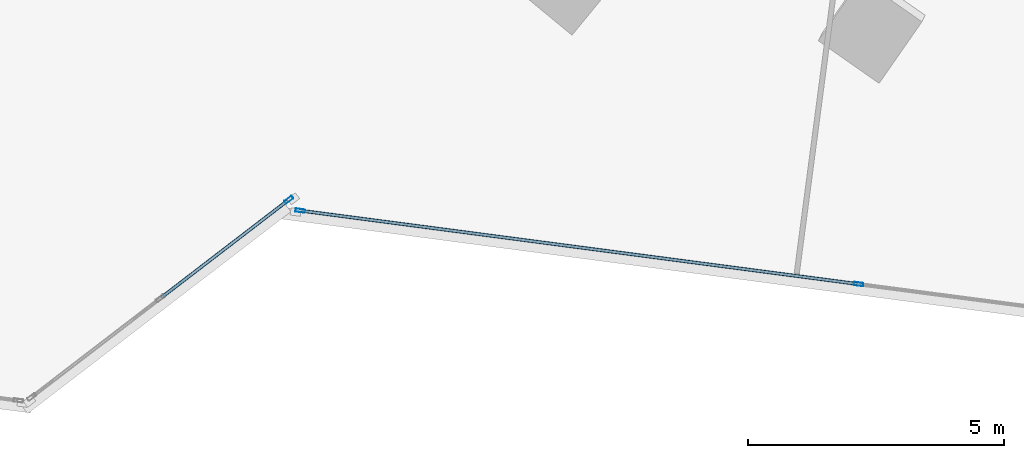
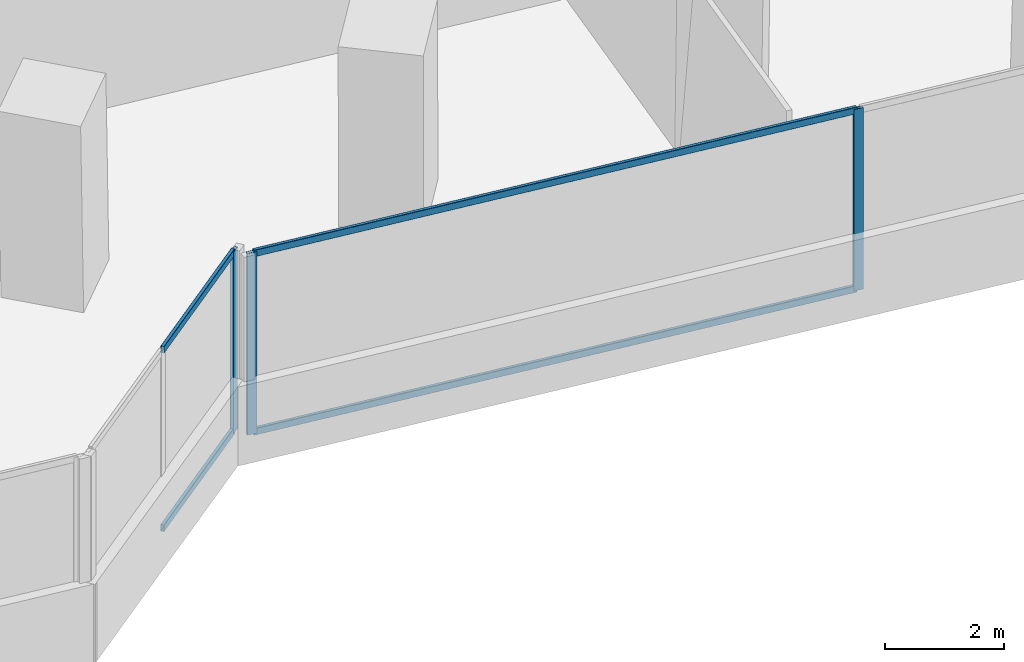
# One storey, part 8 of 24: 7 members, 2 elements without a shape of their own.
"""IFC4 building model written with IfcOpenShell, lengths in metres."""

from ifc_helpers import new_model, si_unit, direction, frame, origin, origin_2d, place, context, subcontext, project, spatial, hollow_rectangle, extrude, source, transform, mapped, material, material_profile, profile_set, type_object, element, aggregate, save


model = new_model("IFC4")

# Units and contexts
model_context = context("Model", 3, precision=1e-05, world=origin(), true_north=direction((0.0, 1.0)))
body_context = subcontext(model_context, "Body", "Model", "MODEL_VIEW")
ifc_project = project(units=[si_unit("LENGTHUNIT", "METRE"), si_unit("AREAUNIT", "SQUARE_METRE"), si_unit("VOLUMEUNIT", "CUBIC_METRE"), si_unit("PLANEANGLEUNIT", "RADIAN"), si_unit("MASSUNIT", "GRAM", prefix="KILO")], contexts=[model_context])

# Site, building, storey
site_placement = place(None, origin())
site = spatial("IfcSite", under=ifc_project, at=site_placement, CompositionType="ELEMENT")
building_placement = place(site_placement, origin())
building = spatial("IfcBuilding", under=site, at=building_placement, Name="Torre Montelarca", CompositionType="ELEMENT")
storey_placement = place(building_placement, frame((0.0, 0.0, 70.60009765625)))
storey = spatial("IfcBuildingStorey", under=building, at=storey_placement, Name="L15", CompositionType="ELEMENT", Elevation=70.60009765625)

# Curtain wall, members
ifc_material_1 = material(Name="Insulated low-E laminated glass", Category="glass")
curtain_wall_type = type_object("IfcCurtainWallType", Name="CW-SYS-Z1", PredefinedType="USERDEFINED", material=ifc_material_1)
curtain_wall_1_placement = place(storey_placement, origin())
curtain_wall_1 = element("IfcCurtainWall", 1, at=curtain_wall_1_placement, inside=storey, type_object=curtain_wall_type, Name="L15 Curtain Wall Run CW-T3-L15-E02-B1", ObjectType="UNITISED GLAZING", PredefinedType="USERDEFINED")
ifc_material_2 = material(Name="Anodised aluminium AA 6063-T6", Category="aluminium")
ifc_material_profile_1 = material_profile(ifc_material_2, hollow_rectangle(XDim=0.06494140625, YDim=0.139892578125, WallThickness=0.00390625, InnerFilletRadius=0.00390625, OuterFilletRadius=0.008056640625, at=origin_2d()), Name="ALU65X140X4", Category="aluminium")
ifc_profile_set_1 = profile_set([ifc_material_profile_1], Name="Anodised aluminium AA 6063-T6")
member_type_1 = type_object("IfcMemberType", Name="CWT-ALU140", PredefinedType="USERDEFINED", material=ifc_profile_set_1)
shared_shape_1 = source(origin(), body_context, "Body", "SweptSolid", [
    extrude(hollow_rectangle(XDim=0.06494140625, YDim=0.139892578125, WallThickness=0.00390625, InnerFilletRadius=0.00390625, OuterFilletRadius=0.008056640625, at=origin_2d()), origin(), (0.0, 0.0, 1.0), 3.102294921875),
])
member_1_placement = place(storey_placement, frame((32.548095703125, 14.704833984375, 0.032470703125), z_axis=(0.793331423579, 0.608789990359, 0.0), x_axis=(-0.608789990359, 0.793331423579, 0.0)))
member_1 = element("IfcMember", 2, at=member_1_placement, type_object=member_type_1, Name="CW transom 2.1", ObjectType="TRANSOM", PredefinedType="USERDEFINED", context=body_context, shape_type="MappedRepresentation", body=[
    mapped(shared_shape_1, transform((0.0, 0.0, 0.0), scale=1.0)),
])
member_2_placement = place(storey_placement, frame((32.548095703125, 14.704833984375, 3.6875), z_axis=(0.793331423579, 0.608789990359, 0.0), x_axis=(-0.608789990359, 0.793331423579, 0.0)))
member_2 = element("IfcMember", 3, at=member_2_placement, type_object=member_type_1, Name="CW transom 2.2", ObjectType="TRANSOM", PredefinedType="USERDEFINED", context=body_context, shape_type="MappedRepresentation", body=[
    mapped(shared_shape_1, transform((0.0, 0.0, 0.0), scale=1.0)),
])

curtain_wall_2_placement = place(storey_placement, origin())
curtain_wall_2 = element("IfcCurtainWall", 4, at=curtain_wall_2_placement, inside=storey, type_object=curtain_wall_type, Name="L15 Curtain Wall Run CW-T3-L15-E04-B1", ObjectType="UNITISED GLAZING", PredefinedType="USERDEFINED")
shared_shape_2 = source(origin(), body_context, "Body", "SweptSolid", [
    extrude(hollow_rectangle(XDim=0.06494140625, YDim=0.139892578125, WallThickness=0.00390625, InnerFilletRadius=0.00390625, OuterFilletRadius=0.008056640625, at=origin_2d()), origin(), (0.0, 0.0, 1.0), 10.94873046875),
])
member_3_placement = place(storey_placement, frame((35.288330078125, 16.396728515625, 0.032470703125), z_axis=(0.99144640037, -0.130514501852, 0.0), x_axis=(0.130514501852, 0.99144640037, 0.0)))
member_3 = element("IfcMember", 5, at=member_3_placement, type_object=member_type_1, Name="CW transom 1.1", ObjectType="TRANSOM", PredefinedType="USERDEFINED", context=body_context, shape_type="MappedRepresentation", body=[
    mapped(shared_shape_2, transform((0.0, 0.0, 0.0), scale=1.0)),
])
member_4_placement = place(storey_placement, frame((35.288330078125, 16.396728515625, 3.6875), z_axis=(0.99144640037, -0.130514501852, 0.0), x_axis=(0.130514501852, 0.99144640037, 0.0)))
member_4 = element("IfcMember", 6, at=member_4_placement, type_object=member_type_1, Name="CW transom 1.2", ObjectType="TRANSOM", PredefinedType="USERDEFINED", context=body_context, shape_type="MappedRepresentation", body=[
    mapped(shared_shape_2, transform((0.0, 0.0, 0.0), scale=1.0)),
])

# Member
ifc_material_profile_2 = material_profile(ifc_material_2, hollow_rectangle(XDim=0.06494140625, YDim=0.179931640625, WallThickness=0.00390625, InnerFilletRadius=0.00390625, OuterFilletRadius=0.008056640625, at=origin_2d()), Name="ALU65X180X4", Category="aluminium")
ifc_profile_set_2 = profile_set([ifc_material_profile_2], Name="Anodised aluminium AA 6063-T6")
member_type_2 = type_object("IfcMemberType", Name="CWM-ALU180", PredefinedType="MULLION", material=ifc_profile_set_2)
shared_shape_3 = source(origin(), body_context, "Body", "SweptSolid", [
    extrude(hollow_rectangle(XDim=0.06494140625, YDim=0.179931640625, WallThickness=0.00390625, InnerFilletRadius=0.00390625, OuterFilletRadius=0.008056640625, at=origin_2d()), origin(), (0.0, 0.0, 1.0), 3.719970703125),
])
member_5_placement = place(storey_placement, frame((35.03515625, 16.61328125, 0.0), z_axis=(0.0, 0.0, 1.0), x_axis=(-0.608756578814, 0.793357061953, 0.0)))
member_5 = element("IfcMember", 7, at=member_5_placement, type_object=member_type_2, Name="CW mullion 3", PredefinedType="MULLION", context=body_context, shape_type="MappedRepresentation", body=[
    mapped(shared_shape_3, transform((0.0, 0.0, 0.0), scale=1.0)),
])

aggregate(curtain_wall_1, [member_5, member_1, member_2])

member_6_placement = place(storey_placement, frame((35.256103515625, 16.40087890625, 0.0), z_axis=(0.0, 0.0, 1.0), x_axis=(0.130520668339, 0.991445588591, 0.0)))
member_6 = element("IfcMember", 8, at=member_6_placement, type_object=member_type_2, Name="CW mullion 1", PredefinedType="MULLION", context=body_context, shape_type="MappedRepresentation", body=[
    mapped(shared_shape_3, transform((0.0, 0.0, 0.0), scale=1.0)),
])

member_7_placement = place(storey_placement, frame((46.175537109375, 14.96337890625, 0.0), z_axis=(0.0, 0.0, 1.0), x_axis=(0.130520668339, 0.991445588591, 0.0)))
member_7 = element("IfcMember", 9, at=member_7_placement, type_object=member_type_2, Name="CW mullion 2", PredefinedType="MULLION", context=body_context, shape_type="MappedRepresentation", body=[
    mapped(shared_shape_3, transform((0.0, 0.0, 0.0), scale=1.0)),
])

aggregate(curtain_wall_2, [member_6, member_7, member_3, member_4])

save(model, "model.ifc")
